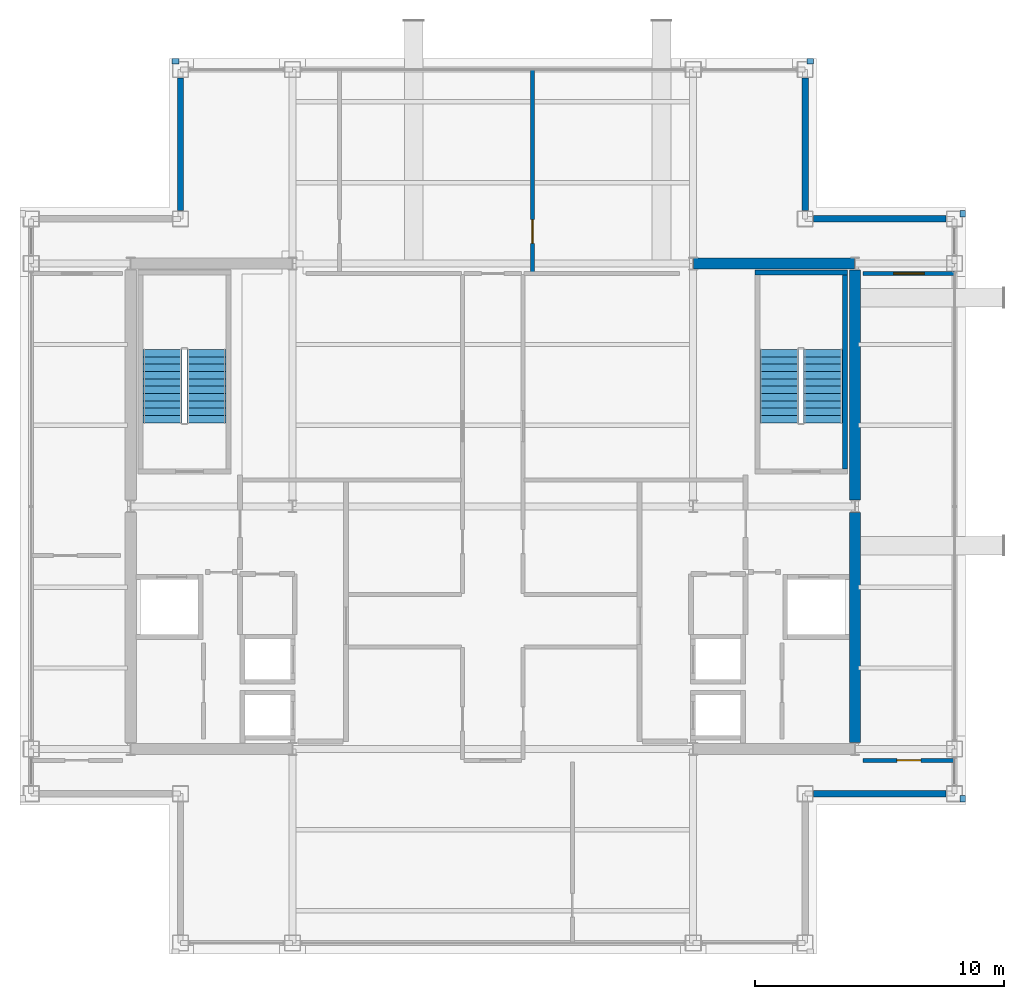
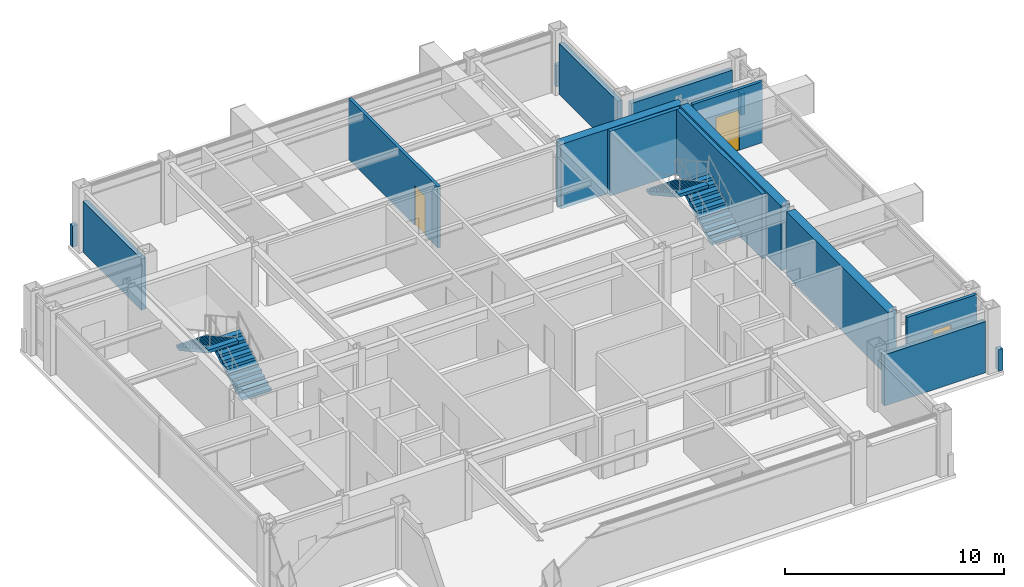
# One storey, part 19 of 20: 16 walls, 4 stair flights, 3 doors, 3 openings, 2 elements without a shape of their own.
"""IFC4 building model written with IfcOpenShell, lengths in metres."""

from ifc_helpers import new_model, si_unit, direction, frame, frame_2d, origin, place, context, subcontext, project, spatial, polyline, rectangle, outline, extrude, material, layer, layer_set, type_object, element, fill, aggregate, save


model = new_model("IFC4")

# Units and contexts
model_context = context("Model", 3, precision=1e-05, world=origin(), true_north=direction((0.0, 1.0)))
body_context = subcontext(model_context, "Body", "Model", "MODEL_VIEW")
ifc_project = project(units=[si_unit("LENGTHUNIT", "METRE"), si_unit("AREAUNIT", "SQUARE_METRE"), si_unit("VOLUMEUNIT", "CUBIC_METRE"), si_unit("PLANEANGLEUNIT", "RADIAN"), si_unit("MASSUNIT", "GRAM", prefix="KILO")], contexts=[model_context])

# Site, building, storey
site_placement = place(None, origin())
site = spatial("IfcSite", under=ifc_project, at=site_placement, CompositionType="ELEMENT")
building_placement = place(site_placement, origin())
building = spatial("IfcBuilding", under=site, at=building_placement, Name="Brelmoor Portico Tower", CompositionType="ELEMENT")
storey_placement = place(building_placement, frame((0.0, 0.0, 218.39990234375)))
storey = spatial("IfcBuildingStorey", under=building, at=storey_placement, Name="L57", CompositionType="ELEMENT", Elevation=218.39990234375)

# Walls
ifc_material_1 = material(Name="Concrete C50", Category="concrete")
ifc_layer_1 = layer(ifc_material_1, 0.449951171875)
ifc_layer_set_1 = layer_set([ifc_layer_1], Name="Concrete C50")
wall_type_1 = type_object("IfcWallType", Name="WL-CORE-450", PredefinedType="SHEAR", material=ifc_layer_set_1)
wall_1_placement = place(storey_placement, frame((8.070068359375, 9.75, -0.199951171875), z_axis=(0.0, 0.0, 1.0), x_axis=(1.0, 0.0, 0.0)))
element("IfcWall", 1, at=wall_1_placement, inside=storey, type_object=wall_type_1, Name="L57 EC North Shear Wall", PredefinedType="SHEAR", context=body_context, shape_type="SweptSolid", body=[
    extrude(rectangle(XDim=6.4599609375, YDim=0.449951171875, at=frame_2d((3.22998046875, 0.0))), origin(), (0.0, 0.0, 1.0), 3.60009765625),
])
for number, where, z_axis, x_axis, name in (
    (2, (14.550048828125, -9.5, -0.199951171875), (0.0, 0.0, 1.0), (0.0, 1.0, 0.0), "L57 EC Outer South Shear Wall"),
    (3, (14.550048828125, 0.25, -0.199951171875), (0.0, 0.0, 1.0), (0.0, 1.0, 0.0), "L57 EC Outer North Shear Wall"),
):
    element("IfcWall", number, at=place(storey_placement, frame(where, z_axis=z_axis, x_axis=x_axis)), inside=storey, type_object=wall_type_1, Name=name, PredefinedType="SHEAR", context=body_context, shape_type="SweptSolid", body=[
        extrude(rectangle(XDim=9.25, YDim=0.449951171875, at=frame_2d((4.625, 0.0))), origin(), (0.0, 0.0, 1.0), 3.60009765625),
    ])
ifc_material_2 = material(Name="Precast Concrete C40 Insulated Facade Wall", Category="concrete")
ifc_layer_2 = layer(ifc_material_2, 0.25)
ifc_layer_set_2 = layer_set([ifc_layer_2], Name="Precast Concrete C40 Insulated Facade Wall")
wall_type_2 = type_object("IfcWallType", Name="WL-EXT-250", PredefinedType="STANDARD", material=ifc_layer_set_2)
for number, where, z_axis, x_axis, name in (
    (4, (12.885009765625, -11.550048828125, 0.0), (0.0, 0.0, 1.0), (1.0, 0.0, 0.0), "L57 Corner Notch Facade Wall NSEH1"),
    (5, (-12.550048828125, 11.885009765625, 0.0), (0.0, 0.0, 1.0), (0.0, 1.0, 0.0), "L57 Corner Notch Facade Wall NNWV1"),
    (6, (12.885009765625, 11.550048828125, 0.0), (0.0, 0.0, 1.0), (1.0, 0.0, 0.0), "L57 Corner Notch Facade Wall NNEH1"),
    (7, (12.550048828125, 11.885009765625, 0.0), (0.0, 0.0, 1.0), (0.0, 1.0, 0.0), "L57 Corner Notch Facade Wall NNEV1"),
):
    element("IfcWall", number, at=place(storey_placement, frame(where, z_axis=z_axis, x_axis=x_axis)), inside=storey, type_object=wall_type_2, Name=name, PredefinedType="STANDARD", context=body_context, shape_type="SweptSolid", body=[
        extrude(rectangle(XDim=5.330078125, YDim=0.25, at=frame_2d((2.6650390625, 0.0))), origin(), (0.0, 0.0, 1.0), 2.85009765625),
    ])
ifc_material_3 = material(Name="Concrete C40 Parapet Upstand", Category="concrete")
ifc_layer_3 = layer(ifc_material_3, 0.219970703125)
ifc_layer_set_3 = layer_set([ifc_layer_3], Name="Concrete C40 Parapet Upstand")
wall_type_3 = type_object("IfcWallType", Name="WL-PARAPET-220", PredefinedType="PARAPET", material=ifc_layer_set_3)
for number, where, z_axis, x_axis, name in (
    (8, (18.889892578125, -11.889892578125, 0.0), (0.0, 0.0, 1.0), (0.0, 1.0, 0.0), "L57 Chamfer Vertex Parapet Pier SE2"),
    (9, (-12.889892578125, 17.889892578125, 0.0), (0.0, 0.0, 1.0), (1.0, 0.0, 0.0), "L57 Chamfer Vertex Parapet Pier NW1"),
    (10, (12.6201171875, 17.889892578125, 0.0), (0.0, 0.0, 1.0), (1.0, 0.0, 0.0), "L57 Chamfer Vertex Parapet Pier NE1"),
    (11, (18.889892578125, 11.6201171875, 0.0), (0.0, 0.0, 1.0), (0.0, 1.0, 0.0), "L57 Chamfer Vertex Parapet Pier NE2"),
):
    element("IfcWall", number, at=place(storey_placement, frame(where, z_axis=z_axis, x_axis=x_axis)), inside=storey, type_object=wall_type_3, Name=name, PredefinedType="PARAPET", context=body_context, shape_type="SweptSolid", body=[
        extrude(rectangle(XDim=0.269775390625, YDim=0.219970703125, at=frame_2d((0.134765625, 0.0))), origin(), (0.0, 0.0, 1.0), 1.2001953125),
    ])

# Wall, opening, door
ifc_material_4 = material(Name="Twin-Frame Acoustic Partition", Category="gypsum")
ifc_layer_4 = layer(ifc_material_4, 0.159912109375)
ifc_layer_set_4 = layer_set([ifc_layer_4], Name="Twin-Frame Acoustic Partition")
wall_type_4 = type_object("IfcWallType", Name="WL-PART-160", PredefinedType="PARTITIONING", material=ifc_layer_set_4)
wall_2_placement = place(storey_placement, frame((1.597412109375, 9.409912109375, 0.0), z_axis=(0.0, 0.0, 1.0), x_axis=(0.0, 1.0, 0.0)))
wall_2 = element("IfcWall", 12, at=wall_2_placement, inside=storey, type_object=wall_type_4, Name="L57 North Suite Partition 2", PredefinedType="PARTITIONING", context=body_context, shape_type="SweptSolid", body=[
    extrude(rectangle(XDim=8.150146484375, YDim=0.159912109375, at=frame_2d((4.0751953125, 0.0))), origin(), (0.0, 0.0, 1.0), 3.400146484375),
])
opening_1_placement = place(wall_2_placement, frame((1.14990234375, 0.0, 0.0)))
opening_1 = element("IfcOpeningElement", 13, at=opening_1_placement, cuts=wall_2, Name="Opening D-IN2", PredefinedType="OPENING", context=body_context, shape_type="SweptSolid", body=[
    extrude(rectangle(XDim=0.9599609375, YDim=2.179931640625, at=frame_2d((0.47998046875, 1.08984375))), frame((0.0, 0.08984375, 0.0), z_axis=(0.0, -1.0, 0.0), x_axis=(1.0, 0.0, 0.0)), (0.0, 0.0, 1.0), 0.179931640625),
])
ifc_material_5 = material(Name="Lacquered Timber Suite Door", Category="wood")
door_type_1 = type_object("IfcDoorType", Name="DR-INT-950", OperationType="NOTDEFINED", PredefinedType="DOOR", material=ifc_material_5)
door_1_placement = place(opening_1_placement, origin())
door_1 = element("IfcDoor", 14, at=door_1_placement, inside=storey, type_object=door_type_1, Name="D-2382 L57 North Suite Connecting Door 2", OperationType="SINGLE_SWING_RIGHT", OverallHeight=2.179931640625, OverallWidth=0.9599609375, PredefinedType="DOOR", context=body_context, shape_type="SweptSolid", body=[
    extrude(rectangle(XDim=0.9599609375, YDim=2.179931640625, at=frame_2d((0.47998046875, 1.08984375))), frame((0.0, 0.02490234375, 0.0), z_axis=(0.0, -1.0, 0.0), x_axis=(1.0, 0.0, 0.0)), (0.0, 0.0, 1.0), 0.050048828125),
])
fill(opening_1, door_1)

wall_3_placement = place(storey_placement, frame((14.8798828125, 9.35009765625, 0.0), z_axis=(0.0, 0.0, 1.0), x_axis=(1.0, 0.0, 0.0)))
wall_3 = element("IfcWall", 15, at=wall_3_placement, inside=storey, type_object=wall_type_4, Name="L57 North Wing Suite Wall ER", PredefinedType="PARTITIONING", context=body_context, shape_type="SweptSolid", body=[
    extrude(rectangle(XDim=3.68017578125, YDim=0.159912109375, at=frame_2d((1.840087890625, 0.0))), origin(), (0.0, 0.0, 1.0), 3.400146484375),
])
opening_2_placement = place(wall_3_placement, frame((1.219970703125, 0.0, 0.0)))
opening_2 = element("IfcOpeningElement", 16, at=opening_2_placement, cuts=wall_3, Name="Opening D-SU1", PredefinedType="OPENING", context=body_context, shape_type="SweptSolid", body=[
    extrude(rectangle(XDim=1.239990234375, YDim=2.239990234375, at=frame_2d((0.6201171875, 1.1201171875))), frame((0.0, 0.08984375, 0.0), z_axis=(0.0, -1.0, 0.0), x_axis=(1.0, 0.0, 0.0)), (0.0, 0.0, 1.0), 0.179931640625),
])
ifc_material_6 = material(Name="Glazed Timber Executive Suite Door", Category="wood")
door_type_2 = type_object("IfcDoorType", Name="DR-SUITE-1200", OperationType="NOTDEFINED", PredefinedType="DOOR", material=ifc_material_6)
door_2_placement = place(opening_2_placement, origin())
door_2 = element("IfcDoor", 17, at=door_2_placement, inside=storey, type_object=door_type_2, Name="D-2383 L57 ER Wing Suite Connecting Door", OperationType="SINGLE_SWING_LEFT", OverallHeight=2.239990234375, OverallWidth=1.239990234375, PredefinedType="DOOR", context=body_context, shape_type="SweptSolid", body=[
    extrude(rectangle(XDim=1.239990234375, YDim=2.239990234375, at=frame_2d((0.6201171875, 1.1201171875))), frame((0.0, 0.02490234375, 0.0), z_axis=(0.0, -1.0, 0.0), x_axis=(1.0, 0.0, 0.0)), (0.0, 0.0, 1.0), 0.050048828125),
])
fill(opening_2, door_2)

wall_4_placement = place(storey_placement, frame((14.8798828125, -10.2099609375, 0.0), z_axis=(0.0, 0.0, 1.0), x_axis=(1.0, 0.0, 0.0)))
wall_4 = element("IfcWall", 18, at=wall_4_placement, inside=storey, type_object=wall_type_4, Name="L57 South Wing Closure ER", PredefinedType="PARTITIONING", context=body_context, shape_type="SweptSolid", body=[
    extrude(rectangle(XDim=3.68017578125, YDim=0.159912109375, at=frame_2d((1.840087890625, 0.0))), origin(), (0.0, 0.0, 1.0), 3.400146484375),
])
opening_3_placement = place(wall_4_placement, frame((1.360107421875, 0.0, 0.0)))
opening_3 = element("IfcOpeningElement", 19, at=opening_3_placement, cuts=wall_4, Name="Opening D-IN2", PredefinedType="OPENING", context=body_context, shape_type="SweptSolid", body=[
    extrude(rectangle(XDim=0.9599609375, YDim=2.179931640625, at=frame_2d((0.47998046875, 1.08984375))), frame((0.0, 0.08984375, 0.0), z_axis=(0.0, -1.0, 0.0), x_axis=(1.0, 0.0, 0.0)), (0.0, 0.0, 1.0), 0.179931640625),
])
door_3_placement = place(opening_3_placement, origin())
door_3 = element("IfcDoor", 20, at=door_3_placement, inside=storey, type_object=door_type_1, Name="D-2389 L57 ER Wing South Suite Door", OperationType="SINGLE_SWING_LEFT", OverallHeight=2.179931640625, OverallWidth=0.9599609375, PredefinedType="DOOR", context=body_context, shape_type="SweptSolid", body=[
    extrude(rectangle(XDim=0.9599609375, YDim=2.179931640625, at=frame_2d((0.47998046875, 1.08984375))), frame((0.0, 0.02490234375, 0.0), z_axis=(0.0, -1.0, 0.0), x_axis=(1.0, 0.0, 0.0)), (0.0, 0.0, 1.0), 0.050048828125),
])
fill(opening_3, door_3)

# Walls
ifc_material_7 = material(Name="Concrete C40", Category="concrete")
ifc_layer_5 = layer(ifc_material_7, 0.199951171875)
ifc_layer_set_5 = layer_set([ifc_layer_5], Name="Concrete C40")
wall_type_5 = type_object("IfcWallType", Name="WL-SHAFT-RC200", PredefinedType="SOLIDWALL", material=ifc_layer_set_5)
wall_5_placement = place(storey_placement, frame((14.14990234375, 1.5, -0.199951171875), z_axis=(0.0, 0.0, 1.0), x_axis=(0.0, 1.0, 0.0)))
element("IfcWall", 21, at=wall_5_placement, inside=storey, type_object=wall_type_5, Name="L57 ST-E Structural Stair Wall Outer", PredefinedType="SOLIDWALL", context=body_context, shape_type="SweptSolid", body=[
    extrude(rectangle(XDim=7.800048828125, YDim=0.199951171875, at=frame_2d((3.89990234375, 0.0))), origin(), (0.0, 0.0, 1.0), 3.60009765625),
])
wall_6_placement = place(storey_placement, frame((10.530029296875, 9.39990234375, -0.199951171875), z_axis=(0.0, 0.0, 1.0), x_axis=(1.0, 0.0, 0.0)))
element("IfcWall", 22, at=wall_6_placement, inside=storey, type_object=wall_type_5, Name="L57 ST-E Structural Stair Wall N", PredefinedType="SOLIDWALL", context=body_context, shape_type="SweptSolid", body=[
    extrude(rectangle(XDim=3.719970703125, YDim=0.199951171875, at=frame_2d((1.85986328125, 0.0))), origin(), (0.0, 0.0, 1.0), 3.60009765625),
])

# Stair, stair flights
stair_type_1 = type_object("IfcStairType", Name="ST-CORE-W", PredefinedType="HALF_TURN_STAIR", material=ifc_material_7)
stair_1_placement = place(storey_placement, origin())
stair_1 = element("IfcStair", 23, at=stair_1_placement, inside=storey, type_object=stair_type_1, Name="L57 Protected Core Exit Stair ST-W", PredefinedType="HALF_TURN_STAIR")
stair_flight_type = type_object("IfcStairFlightType", Name="SF-CORE-1850", PredefinedType="STRAIGHT", material=ifc_material_7)
stair_flight_1_placement = place(storey_placement, frame((-11.510009765625, 3.35009765625, 0.0), z_axis=(0.0, 0.0, 1.0), x_axis=(0.0, 1.0, 0.0)))
stair_flight_1 = element("IfcStairFlight", 24, at=stair_flight_1_placement, type_object=stair_flight_type, Name="ST-W flight 1", NumberOfRisers=11, NumberOfTreads=10, PredefinedType="STRAIGHT", RiserHeight=0.163636364, TreadLength=0.295, context=body_context, shape_type="SweptSolid", body=[
    extrude(outline(polyline([(0.0, 0.0), (0.0, 0.16357421875), (0.294921875, 0.16357421875), (0.294921875, 0.327392578125), (0.590087890625, 0.327392578125), (0.590087890625, 0.490966796875), (0.885009765625, 0.490966796875), (0.885009765625, 0.654541015625), (1.179931640625, 0.654541015625), (1.179931640625, 0.818115234375), (1.47509765625, 0.818115234375), (1.47509765625, 0.98193359375), (1.77001953125, 0.98193359375), (1.77001953125, 1.1455078125), (2.06494140625, 1.1455078125), (2.06494140625, 1.30908203125), (2.360107421875, 1.30908203125), (2.360107421875, 1.47265625), (2.655029296875, 1.47265625), (2.655029296875, 1.636474609375), (2.949951171875, 1.636474609375), (2.949951171875, 1.800048828125), (2.949951171875, 1.46484375), (0.30908203125, 0.0), (0.0, 0.0)])), frame((0.0, 0.780029296875, 0.0), z_axis=(0.0, -1.0, 0.0), x_axis=(1.0, 0.0, 0.0)), (0.0, 0.0, 1.0), 1.56005859375),
])
stair_flight_2_placement = place(storey_placement, frame((-13.27001953125, 6.300048828125, 1.800048828125), z_axis=(0.0, 0.0, 1.0), x_axis=(0.0, -1.0, 0.0)))
stair_flight_2 = element("IfcStairFlight", 25, at=stair_flight_2_placement, type_object=stair_flight_type, Name="ST-W flight 2", NumberOfRisers=11, NumberOfTreads=10, PredefinedType="STRAIGHT", RiserHeight=0.163636364, TreadLength=0.295, context=body_context, shape_type="SweptSolid", body=[
    extrude(outline(polyline([(0.0, 0.0), (0.0, 0.16357421875), (0.294921875, 0.16357421875), (0.294921875, 0.327392578125), (0.590087890625, 0.327392578125), (0.590087890625, 0.490966796875), (0.885009765625, 0.490966796875), (0.885009765625, 0.654541015625), (1.179931640625, 0.654541015625), (1.179931640625, 0.818115234375), (1.47509765625, 0.818115234375), (1.47509765625, 0.98193359375), (1.77001953125, 0.98193359375), (1.77001953125, 1.1455078125), (2.06494140625, 1.1455078125), (2.06494140625, 1.30908203125), (2.360107421875, 1.30908203125), (2.360107421875, 1.47265625), (2.655029296875, 1.47265625), (2.655029296875, 1.636474609375), (2.949951171875, 1.636474609375), (2.949951171875, 1.800048828125), (2.949951171875, 1.46484375), (0.30908203125, 0.0), (0.0, 0.0)])), frame((0.0, 0.780029296875, 0.0), z_axis=(0.0, -1.0, 0.0), x_axis=(1.0, 0.0, 0.0)), (0.0, 0.0, 1.0), 1.56005859375),
])
aggregate(stair_1, [stair_flight_1, stair_flight_2])

stair_type_2 = type_object("IfcStairType", Name="ST-CORE-E", PredefinedType="HALF_TURN_STAIR", material=ifc_material_7)
stair_2_placement = place(storey_placement, origin())
stair_2 = element("IfcStair", 26, at=stair_2_placement, inside=storey, type_object=stair_type_2, Name="L57 Protected Core Exit Stair ST-E", PredefinedType="HALF_TURN_STAIR")
stair_flight_3_placement = place(storey_placement, frame((13.27001953125, 3.35009765625, 0.0), z_axis=(0.0, 0.0, 1.0), x_axis=(0.0, 1.0, 0.0)))
stair_flight_3 = element("IfcStairFlight", 27, at=stair_flight_3_placement, type_object=stair_flight_type, Name="ST-E flight 1", NumberOfRisers=11, NumberOfTreads=10, PredefinedType="STRAIGHT", RiserHeight=0.163636364, TreadLength=0.295, context=body_context, shape_type="SweptSolid", body=[
    extrude(outline(polyline([(0.0, 0.0), (0.0, 0.16357421875), (0.294921875, 0.16357421875), (0.294921875, 0.327392578125), (0.590087890625, 0.327392578125), (0.590087890625, 0.490966796875), (0.885009765625, 0.490966796875), (0.885009765625, 0.654541015625), (1.179931640625, 0.654541015625), (1.179931640625, 0.818115234375), (1.47509765625, 0.818115234375), (1.47509765625, 0.98193359375), (1.77001953125, 0.98193359375), (1.77001953125, 1.1455078125), (2.06494140625, 1.1455078125), (2.06494140625, 1.30908203125), (2.360107421875, 1.30908203125), (2.360107421875, 1.47265625), (2.655029296875, 1.47265625), (2.655029296875, 1.636474609375), (2.949951171875, 1.636474609375), (2.949951171875, 1.800048828125), (2.949951171875, 1.46484375), (0.30908203125, 0.0), (0.0, 0.0)])), frame((0.0, 0.780029296875, 0.0), z_axis=(0.0, -1.0, 0.0), x_axis=(1.0, 0.0, 0.0)), (0.0, 0.0, 1.0), 1.56005859375),
])
stair_flight_4_placement = place(storey_placement, frame((11.510009765625, 6.300048828125, 1.800048828125), z_axis=(0.0, 0.0, 1.0), x_axis=(0.0, -1.0, 0.0)))
stair_flight_4 = element("IfcStairFlight", 28, at=stair_flight_4_placement, type_object=stair_flight_type, Name="ST-E flight 2", NumberOfRisers=11, NumberOfTreads=10, PredefinedType="STRAIGHT", RiserHeight=0.163636364, TreadLength=0.295, context=body_context, shape_type="SweptSolid", body=[
    extrude(outline(polyline([(0.0, 0.0), (0.0, 0.16357421875), (0.294921875, 0.16357421875), (0.294921875, 0.327392578125), (0.590087890625, 0.327392578125), (0.590087890625, 0.490966796875), (0.885009765625, 0.490966796875), (0.885009765625, 0.654541015625), (1.179931640625, 0.654541015625), (1.179931640625, 0.818115234375), (1.47509765625, 0.818115234375), (1.47509765625, 0.98193359375), (1.77001953125, 0.98193359375), (1.77001953125, 1.1455078125), (2.06494140625, 1.1455078125), (2.06494140625, 1.30908203125), (2.360107421875, 1.30908203125), (2.360107421875, 1.47265625), (2.655029296875, 1.47265625), (2.655029296875, 1.636474609375), (2.949951171875, 1.636474609375), (2.949951171875, 1.800048828125), (2.949951171875, 1.46484375), (0.30908203125, 0.0), (0.0, 0.0)])), frame((0.0, 0.780029296875, 0.0), z_axis=(0.0, -1.0, 0.0), x_axis=(1.0, 0.0, 0.0)), (0.0, 0.0, 1.0), 1.56005859375),
])
aggregate(stair_2, [stair_flight_3, stair_flight_4])

save(model, "model.ifc")
